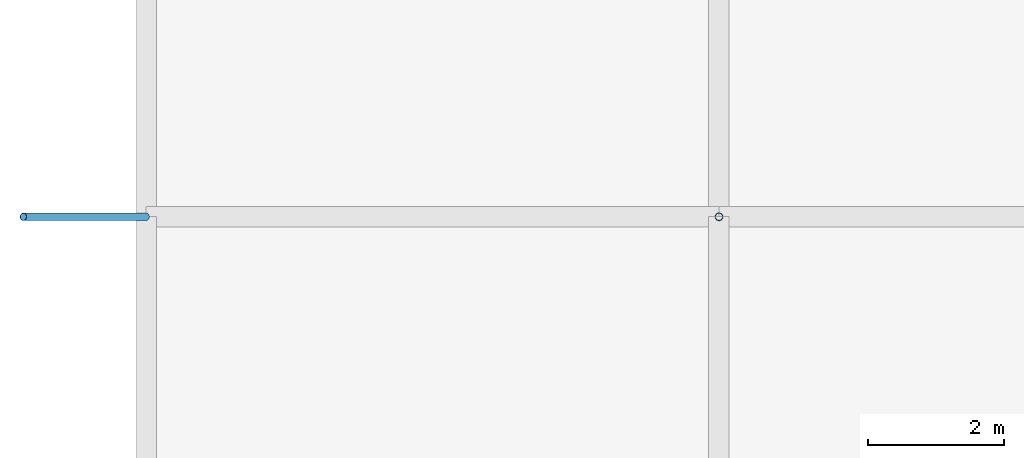
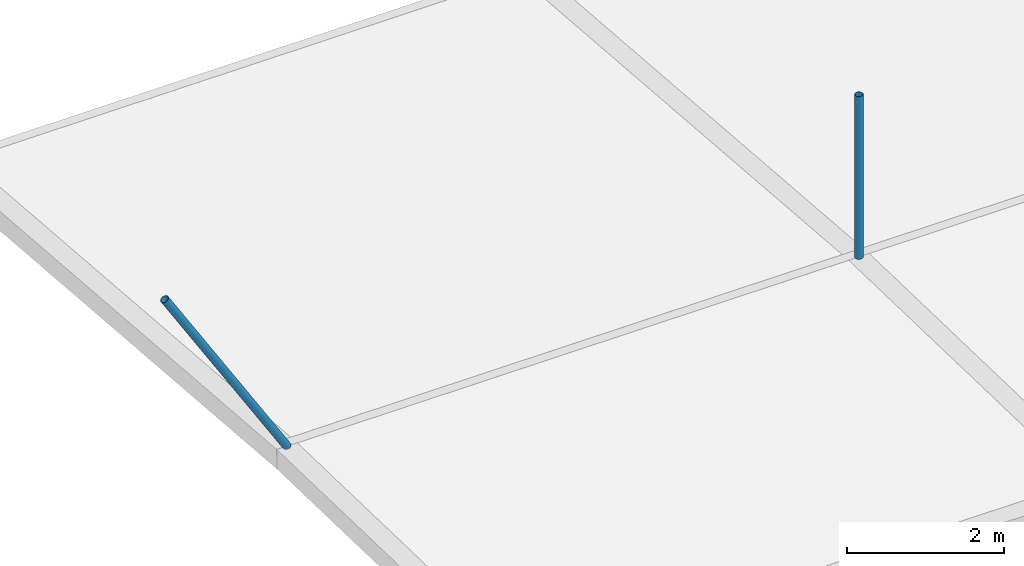
# One storey, part 11 of 37: 2 discrete accessories.
"""IFC4 building model written with IfcOpenShell, lengths in metres."""

from ifc_helpers import new_model, si_unit, direction, frame, origin, origin_2d, place, context, subcontext, project, spatial, hollow_circle, extrude, material, material_profile, profile_set, type_object, element, save


model = new_model("IFC4")

# Units and contexts
model_context = context("Model", 3, precision=1e-05, world=origin(), true_north=direction((0.0, 1.0)))
body_context = subcontext(model_context, "Body", "Model", "MODEL_VIEW")
ifc_project = project(units=[si_unit("LENGTHUNIT", "METRE"), si_unit("AREAUNIT", "SQUARE_METRE"), si_unit("VOLUMEUNIT", "CUBIC_METRE"), si_unit("PLANEANGLEUNIT", "RADIAN"), si_unit("MASSUNIT", "GRAM", prefix="KILO")], contexts=[model_context])

# Site, building, storey
site_placement = place(None, origin())
site = spatial("IfcSite", under=ifc_project, at=site_placement, CompositionType="ELEMENT")
building_placement = place(site_placement, origin())
building = spatial("IfcBuilding", under=site, at=building_placement, Name="Rain Tree Exposition and Congress Centre", CompositionType="ELEMENT")
storey_placement = place(building_placement, frame((0.0, 0.0, 25.0)))
storey = spatial("IfcBuildingStorey", under=building, at=storey_placement, Name="ROOF VAULT LOW", CompositionType="ELEMENT", Elevation=25.0)

# Discrete accessories
ifc_material = material(Name="Steel S355J2H", Category="steel")
ifc_material_profile = material_profile(ifc_material, hollow_circle(Radius=0.05712890625, WallThickness=0.00439453125, at=origin_2d()), Name="CHS 114x4.5")
ifc_profile_set = profile_set([ifc_material_profile], Name="Steel S355J2H")
discrete_accessory_type = type_object("IfcDiscreteAccessoryType", Name="Roof skin post CHS 114x4.5", PredefinedType="BRACKET", material=ifc_profile_set)
discrete_accessory_1_placement = place(storey_placement, frame((8.39990234375, 159.60009765625, 1.1728515625), z_axis=(-0.525480740199, 0.0, 0.850805495798), x_axis=(0.0, -1.0, 0.0)))
element("IfcDiscreteAccessory", 1, at=discrete_accessory_1_placement, inside=storey, type_object=discrete_accessory_type, Name="Roof skin post A106", PredefinedType="BRACKET", context=body_context, shape_type="SweptSolid", body=[
    extrude(hollow_circle(Radius=0.05712890625, WallThickness=0.00439453125, at=origin_2d()), origin(), (0.0, 0.0, 1.0), 3.425048828125),
])
discrete_accessory_2_placement = place(storey_placement, frame((16.800048828125, 159.60009765625, 1.1728515625), z_axis=(0.0, 0.0, 1.0), x_axis=(1.0, 0.0, 0.0)))
element("IfcDiscreteAccessory", 2, at=discrete_accessory_2_placement, inside=storey, type_object=discrete_accessory_type, Name="Roof skin post A107", PredefinedType="BRACKET", context=body_context, shape_type="SweptSolid", body=[
    extrude(hollow_circle(Radius=0.05712890625, WallThickness=0.00439453125, at=origin_2d()), origin(), (0.0, 0.0, 1.0), 2.52587890625),
])

save(model, "model.ifc")
